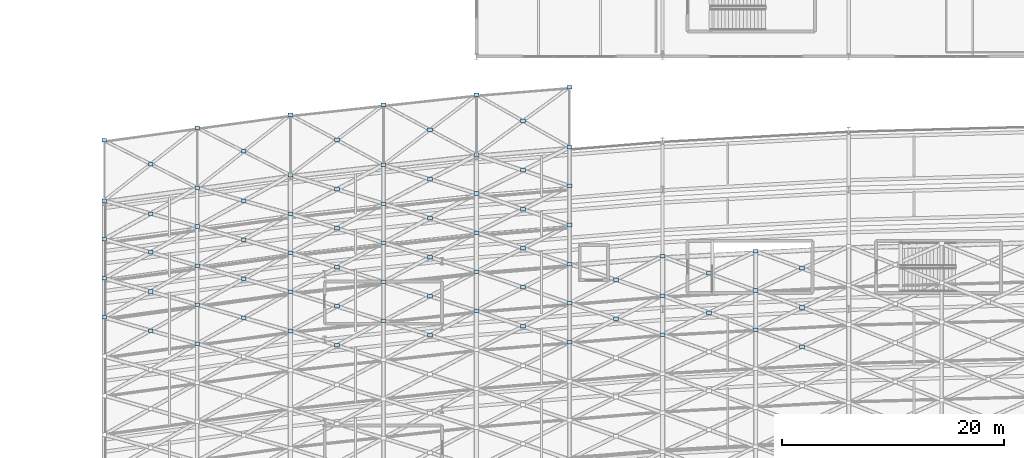
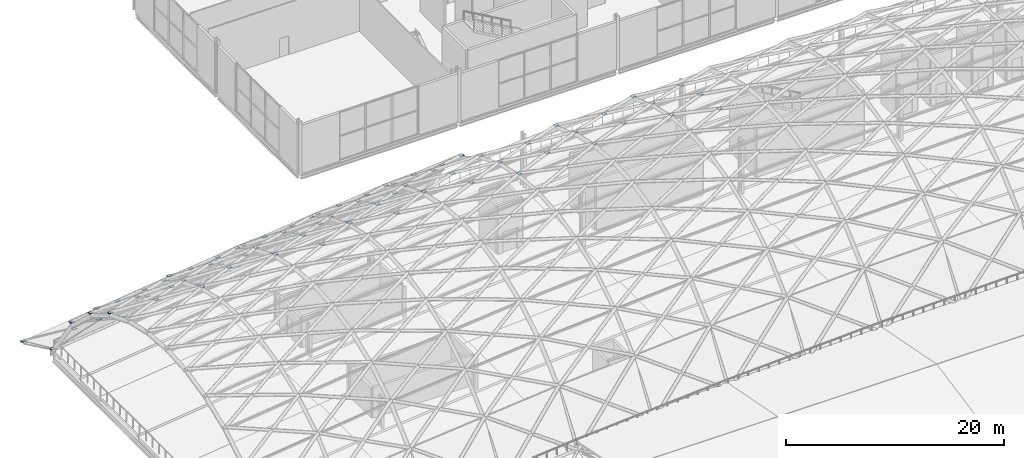
# One storey, part 75 of 100: 77 plates.
"""IFC4 building model written with IfcOpenShell, lengths in metres."""

from ifc_helpers import new_model, si_unit, direction, frame, origin, origin_2d, place, context, subcontext, project, spatial, rectangle, extrude, material, layer, layer_set, type_object, element, save


model = new_model("IFC4")

# Units and contexts
model_context = context("Model", 3, precision=1e-05, world=origin(), true_north=direction((0.0, 1.0)))
body_context = subcontext(model_context, "Body", "Model", "MODEL_VIEW")
ifc_project = project(units=[si_unit("LENGTHUNIT", "METRE"), si_unit("AREAUNIT", "SQUARE_METRE"), si_unit("VOLUMEUNIT", "CUBIC_METRE"), si_unit("PLANEANGLEUNIT", "RADIAN"), si_unit("MASSUNIT", "GRAM", prefix="KILO")], contexts=[model_context])

# Site, building, storey
site_placement = place(None, origin())
site = spatial("IfcSite", under=ifc_project, at=site_placement, CompositionType="ELEMENT")
building_placement = place(site_placement, origin())
building = spatial("IfcBuilding", under=site, at=building_placement, Name="Kimbaza Rail Terminus", CompositionType="ELEMENT")
storey_placement = place(building_placement, frame((0.0, 0.0, 10.800048828125)))
storey = spatial("IfcBuildingStorey", under=building, at=storey_placement, Name="L02", CompositionType="ELEMENT", Elevation=10.800048828125)

# Plates
ifc_material = material(Name="Steel S355", Category="steel")
ifc_layer = layer(ifc_material, 0.0400390625)
ifc_layer_set = layer_set([ifc_layer], Name="Steel S355")
plate_type = type_object("IfcPlateType", Name="STR-PL-NP01", PredefinedType="USERDEFINED", material=ifc_layer_set)
for number, where, z_axis, x_axis, name in (
    (1, (21.60009765625, 79.4560546875, 10.479736328125), (0.0, 0.0, 1.0), (1.0, 0.0, 0.0), "Vault Node Cap Plate NP-01 VR-00/VA10"),
    (2, (21.60009765625, 82.982666015625, 8.330322265625), (0.0, 0.0, 1.0), (1.0, 0.0, 0.0), "Vault Node Cap Plate NP-01 VR-00/VA11"),
    (3, (21.60009765625, 86.50927734375, 5.147705078125), (0.0, 0.0, 1.0), (1.0, 0.0, 0.0), "Vault Node Cap Plate NP-01 VR-00/VA12"),
    (4, (21.60009765625, 90.00048828125, 0.044189453125), (0.0, 0.0, 1.0), (1.0, 0.0, 0.0), "Vault Node Cap Plate NP-01 VR-00/VA13"),
    (5, (21.60009765625, 95.433837890625, -2.392578125), (0.0, 0.0, 1.0), (1.0, 0.0, 0.0), "Vault Node Cap Plate NP-01 VR-00/VA14"),
    (6, (30.0, 77.078125, 11.89111328125), (0.0, 0.0, 1.0), (1.0, 0.0, 0.0), "Vault Node Cap Plate NP-01 VR-01/VA09"),
    (7, (30.0, 80.604736328125, 10.479736328125), (0.0, 0.0, 1.0), (1.0, 0.0, 0.0), "Vault Node Cap Plate NP-01 VR-01/VA10"),
    (8, (30.0, 84.131591796875, 8.330322265625), (0.0, 0.0, 1.0), (1.0, 0.0, 0.0), "Vault Node Cap Plate NP-01 VR-01/VA11"),
    (9, (30.0, 87.658203125, 5.147705078125), (0.0, 0.0, 1.0), (1.0, 0.0, 0.0), "Vault Node Cap Plate NP-01 VR-01/VA12"),
    (10, (30.0, 91.149169921875, 0.044189453125), (0.0, 0.0, 1.0), (1.0, 0.0, 0.0), "Vault Node Cap Plate NP-01 VR-01/VA13"),
    (11, (30.0, 96.58251953125, -2.392578125), (0.0, 0.0, 1.0), (1.0, 0.0, 0.0), "Vault Node Cap Plate NP-01 VR-01/VA14"),
    (12, (38.39990234375, 78.226806640625, 11.89111328125), (0.0, 0.0, 1.0), (1.0, 0.0, 0.0), "Vault Node Cap Plate NP-01 VR-02/VA09"),
    (13, (38.39990234375, 81.753662109375, 10.479736328125), (0.0, 0.0, 1.0), (1.0, 0.0, 0.0), "Vault Node Cap Plate NP-01 VR-02/VA10"),
    (14, (38.39990234375, 85.2802734375, 8.330322265625), (0.0, 0.0, 1.0), (1.0, 0.0, 0.0), "Vault Node Cap Plate NP-01 VR-02/VA11"),
    (15, (38.39990234375, 88.806884765625, 5.147705078125), (0.0, 0.0, 1.0), (1.0, 0.0, 0.0), "Vault Node Cap Plate NP-01 VR-02/VA12"),
    (16, (38.39990234375, 92.298095703125, 0.044189453125), (0.0, 0.0, 1.0), (1.0, 0.0, 0.0), "Vault Node Cap Plate NP-01 VR-02/VA13"),
    (17, (38.39990234375, 97.7314453125, -2.392578125), (0.0, 0.0, 1.0), (1.0, 0.0, 0.0), "Vault Node Cap Plate NP-01 VR-02/VA14"),
    (18, (46.800048828125, 79.142822265625, 11.89111328125), (0.0, 0.0, 1.0), (1.0, 0.0, 0.0), "Vault Node Cap Plate NP-01 VR-03/VA09"),
    (19, (46.800048828125, 82.66943359375, 10.479736328125), (0.0, 0.0, 1.0), (1.0, 0.0, 0.0), "Vault Node Cap Plate NP-01 VR-03/VA10"),
    (20, (46.800048828125, 86.1962890625, 8.330322265625), (0.0, 0.0, 1.0), (1.0, 0.0, 0.0), "Vault Node Cap Plate NP-01 VR-03/VA11"),
    (21, (46.800048828125, 89.722900390625, 5.147705078125), (0.0, 0.0, 1.0), (1.0, 0.0, 0.0), "Vault Node Cap Plate NP-01 VR-03/VA12"),
    (22, (46.800048828125, 93.2138671875, 0.044189453125), (0.0, 0.0, 1.0), (1.0, 0.0, 0.0), "Vault Node Cap Plate NP-01 VR-03/VA13"),
    (23, (46.800048828125, 98.6474609375, -2.392578125), (0.0, 0.0, 1.0), (1.0, 0.0, 0.0), "Vault Node Cap Plate NP-01 VR-03/VA14"),
    (24, (55.199951171875, 80.058837890625, 11.89111328125), (0.0, 0.0, 1.0), (1.0, 0.0, 0.0), "Vault Node Cap Plate NP-01 VR-04/VA09"),
    (25, (55.199951171875, 83.58544921875, 10.479736328125), (0.0, 0.0, 1.0), (1.0, 0.0, 0.0), "Vault Node Cap Plate NP-01 VR-04/VA10"),
    (26, (55.199951171875, 87.112060546875, 8.330322265625), (0.0, 0.0, 1.0), (1.0, 0.0, 0.0), "Vault Node Cap Plate NP-01 VR-04/VA11"),
    (27, (55.199951171875, 90.638671875, 5.147705078125), (0.0, 0.0, 1.0), (1.0, 0.0, 0.0), "Vault Node Cap Plate NP-01 VR-04/VA12"),
    (28, (55.199951171875, 94.1298828125, 0.044189453125), (0.0, 0.0, 1.0), (1.0, 0.0, 0.0), "Vault Node Cap Plate NP-01 VR-04/VA13"),
    (29, (55.199951171875, 99.563232421875, -2.392578125), (0.0, 0.0, 1.0), (1.0, 0.0, 0.0), "Vault Node Cap Plate NP-01 VR-04/VA14"),
    (30, (63.60009765625, 77.21728515625, 12.697265625), (0.0, 0.0, 1.0), (1.0, 0.0, 0.0), "Vault Node Cap Plate NP-01 VR-05/VA08"),
    (31, (63.60009765625, 80.743896484375, 11.89111328125), (0.0, 0.0, 1.0), (1.0, 0.0, 0.0), "Vault Node Cap Plate NP-01 VR-05/VA09"),
    (32, (63.60009765625, 84.2705078125, 10.479736328125), (0.0, 0.0, 1.0), (1.0, 0.0, 0.0), "Vault Node Cap Plate NP-01 VR-05/VA10"),
    (33, (63.60009765625, 87.79736328125, 8.330322265625), (0.0, 0.0, 1.0), (1.0, 0.0, 0.0), "Vault Node Cap Plate NP-01 VR-05/VA11"),
    (34, (63.60009765625, 91.323974609375, 5.147705078125), (0.0, 0.0, 1.0), (1.0, 0.0, 0.0), "Vault Node Cap Plate NP-01 VR-05/VA12"),
    (35, (63.60009765625, 94.81494140625, 0.044189453125), (0.0, 0.0, 1.0), (1.0, 0.0, 0.0), "Vault Node Cap Plate NP-01 VR-05/VA13"),
    (36, (63.60009765625, 100.24853515625, -2.392578125), (0.0, 0.0, 1.0), (1.0, 0.0, 0.0), "Vault Node Cap Plate NP-01 VR-05/VA14"),
    (37, (72.0, 77.90234375, 12.697265625), (0.0, 0.0, 1.0), (1.0, 0.0, 0.0), "Vault Node Cap Plate NP-01 VR-06/VA08"),
    (38, (72.0, 81.42919921875, 11.89111328125), (0.0, 0.0, 1.0), (1.0, 0.0, 0.0), "Vault Node Cap Plate NP-01 VR-06/VA09"),
    (39, (72.0, 84.955810546875, 10.479736328125), (0.0, 0.0, 1.0), (1.0, 0.0, 0.0), "Vault Node Cap Plate NP-01 VR-06/VA10"),
    (40, (80.39990234375, 78.3583984375, 12.697265625), (0.0, 0.0, 1.0), (1.0, 0.0, 0.0), "Vault Node Cap Plate NP-01 VR-07/VA08"),
    (41, (80.39990234375, 81.885009765625, 11.89111328125), (0.0, 0.0, 1.0), (1.0, 0.0, 0.0), "Vault Node Cap Plate NP-01 VR-07/VA09"),
    (42, (80.39990234375, 85.41162109375, 10.479736328125), (0.0, 0.0, 1.0), (1.0, 0.0, 0.0), "Vault Node Cap Plate NP-01 VR-07/VA10"),
    (43, (25.800048828125, 78.26708984375, 11.185546875), (0.0, 0.0, 1.0), (1.0, 0.0, 0.0), "Vault Crossing Saddle Node Plate NP-01 VR-00/VA09"),
    (44, (25.800048828125, 81.793701171875, 9.405029296875), (0.0, 0.0, 1.0), (1.0, 0.0, 0.0), "Vault Crossing Saddle Node Plate NP-01 VR-00/VA10"),
    (45, (25.800048828125, 85.3203125, 6.739013671875), (0.0, 0.0, 1.0), (1.0, 0.0, 0.0), "Vault Crossing Saddle Node Plate NP-01 VR-00/VA11"),
    (46, (25.800048828125, 88.829345703125, 2.595947265625), (0.0, 0.0, 1.0), (1.0, 0.0, 0.0), "Vault Crossing Saddle Node Plate NP-01 VR-00/VA12"),
    (47, (25.800048828125, 93.29150390625, -1.17431640625), (0.0, 0.0, 1.0), (1.0, 0.0, 0.0), "Vault Crossing Saddle Node Plate NP-01 VR-00/VA13"),
    (48, (34.199951171875, 79.415771484375, 11.185546875), (0.0, 0.0, 1.0), (1.0, 0.0, 0.0), "Vault Crossing Saddle Node Plate NP-01 VR-01/VA09"),
    (49, (34.199951171875, 82.942626953125, 9.405029296875), (0.0, 0.0, 1.0), (1.0, 0.0, 0.0), "Vault Crossing Saddle Node Plate NP-01 VR-01/VA10"),
    (50, (34.199951171875, 86.46923828125, 6.739013671875), (0.0, 0.0, 1.0), (1.0, 0.0, 0.0), "Vault Crossing Saddle Node Plate NP-01 VR-01/VA11"),
    (51, (34.199951171875, 89.97802734375, 2.595947265625), (0.0, 0.0, 1.0), (1.0, 0.0, 0.0), "Vault Crossing Saddle Node Plate NP-01 VR-01/VA12"),
    (52, (34.199951171875, 94.4404296875, -1.17431640625), (0.0, 0.0, 1.0), (1.0, 0.0, 0.0), "Vault Crossing Saddle Node Plate NP-01 VR-01/VA13"),
    (53, (42.60009765625, 76.921630859375, 12.294189453125), (0.0, 0.0, 1.0), (1.0, 0.0, 0.0), "Vault Crossing Saddle Node Plate NP-01 VR-02/VA08"),
    (54, (42.60009765625, 80.4482421875, 11.185546875), (0.0, 0.0, 1.0), (1.0, 0.0, 0.0), "Vault Crossing Saddle Node Plate NP-01 VR-02/VA09"),
    (55, (42.60009765625, 83.974853515625, 9.405029296875), (0.0, 0.0, 1.0), (1.0, 0.0, 0.0), "Vault Crossing Saddle Node Plate NP-01 VR-02/VA10"),
    (56, (42.60009765625, 87.50146484375, 6.739013671875), (0.0, 0.0, 1.0), (1.0, 0.0, 0.0), "Vault Crossing Saddle Node Plate NP-01 VR-02/VA11"),
    (57, (42.60009765625, 91.010498046875, 2.595947265625), (0.0, 0.0, 1.0), (1.0, 0.0, 0.0), "Vault Crossing Saddle Node Plate NP-01 VR-02/VA12"),
    (58, (42.60009765625, 95.47265625, -1.17431640625), (0.0, 0.0, 1.0), (1.0, 0.0, 0.0), "Vault Crossing Saddle Node Plate NP-01 VR-02/VA13"),
    (59, (51.0, 77.83740234375, 12.294189453125), (0.0, 0.0, 1.0), (1.0, 0.0, 0.0), "Vault Crossing Saddle Node Plate NP-01 VR-03/VA08"),
    (60, (51.0, 81.3642578125, 11.185546875), (0.0, 0.0, 1.0), (1.0, 0.0, 0.0), "Vault Crossing Saddle Node Plate NP-01 VR-03/VA09"),
    (61, (51.0, 84.890869140625, 9.405029296875), (0.0, 0.0, 1.0), (1.0, 0.0, 0.0), "Vault Crossing Saddle Node Plate NP-01 VR-03/VA10"),
    (62, (51.0, 88.41748046875, 6.739013671875), (0.0, 0.0, 1.0), (1.0, 0.0, 0.0), "Vault Crossing Saddle Node Plate NP-01 VR-03/VA11"),
    (63, (51.0, 91.92626953125, 2.595947265625), (0.0, 0.0, 1.0), (1.0, 0.0, 0.0), "Vault Crossing Saddle Node Plate NP-01 VR-03/VA12"),
    (64, (51.0, 96.388671875, -1.17431640625), (0.0, 0.0, 1.0), (1.0, 0.0, 0.0), "Vault Crossing Saddle Node Plate NP-01 VR-03/VA13"),
    (65, (59.39990234375, 78.637939453125, 12.294189453125), (0.0, 0.0, 1.0), (1.0, 0.0, 0.0), "Vault Crossing Saddle Node Plate NP-01 VR-04/VA08"),
    (66, (59.39990234375, 82.164794921875, 11.185546875), (0.0, 0.0, 1.0), (1.0, 0.0, 0.0), "Vault Crossing Saddle Node Plate NP-01 VR-04/VA09"),
    (67, (59.39990234375, 85.69140625, 9.405029296875), (0.0, 0.0, 1.0), (1.0, 0.0, 0.0), "Vault Crossing Saddle Node Plate NP-01 VR-04/VA10"),
    (68, (59.39990234375, 89.218017578125, 6.739013671875), (0.0, 0.0, 1.0), (1.0, 0.0, 0.0), "Vault Crossing Saddle Node Plate NP-01 VR-04/VA11"),
    (69, (59.39990234375, 92.726806640625, 2.595947265625), (0.0, 0.0, 1.0), (1.0, 0.0, 0.0), "Vault Crossing Saddle Node Plate NP-01 VR-04/VA12"),
    (70, (59.39990234375, 97.189208984375, -1.17431640625), (0.0, 0.0, 1.0), (1.0, 0.0, 0.0), "Vault Crossing Saddle Node Plate NP-01 VR-04/VA13"),
    (71, (67.800048828125, 79.3232421875, 12.294189453125), (0.0, 0.0, 1.0), (1.0, 0.0, 0.0), "Vault Crossing Saddle Node Plate NP-01 VR-05/VA08"),
    (72, (67.800048828125, 82.849853515625, 11.185546875), (0.0, 0.0, 1.0), (1.0, 0.0, 0.0), "Vault Crossing Saddle Node Plate NP-01 VR-05/VA09"),
    (73, (76.199951171875, 79.893798828125, 12.294189453125), (0.0, 0.0, 1.0), (1.0, 0.0, 0.0), "Vault Crossing Saddle Node Plate NP-01 VR-06/VA08"),
    (74, (76.199951171875, 83.42041015625, 11.185546875), (0.0, 0.0, 1.0), (1.0, 0.0, 0.0), "Vault Crossing Saddle Node Plate NP-01 VR-06/VA09"),
    (75, (84.60009765625, 76.822998046875, 12.82861328125), (0.0, 0.0, 1.0), (1.0, 0.0, 0.0), "Vault Crossing Saddle Node Plate NP-01 VR-07/VA07"),
    (76, (84.60009765625, 80.349609375, 12.294189453125), (0.0, 0.0, 1.0), (1.0, 0.0, 0.0), "Vault Crossing Saddle Node Plate NP-01 VR-07/VA08"),
    (77, (84.60009765625, 83.87646484375, 11.185546875), (0.0, 0.0, 1.0), (1.0, 0.0, 0.0), "Vault Crossing Saddle Node Plate NP-01 VR-07/VA09"),
):
    element("IfcPlate", number, at=place(storey_placement, frame(where, z_axis=z_axis, x_axis=x_axis)), inside=storey, type_object=plate_type, Name=name, ObjectType="GUSSET PLATE", PredefinedType="USERDEFINED", context=body_context, shape_type="SweptSolid", body=[
        extrude(rectangle(XDim=0.43994140625, YDim=0.320068359375, at=origin_2d()), origin(), (0.0, 0.0, 1.0), 0.0400390625),
    ])

save(model, "model.ifc")
